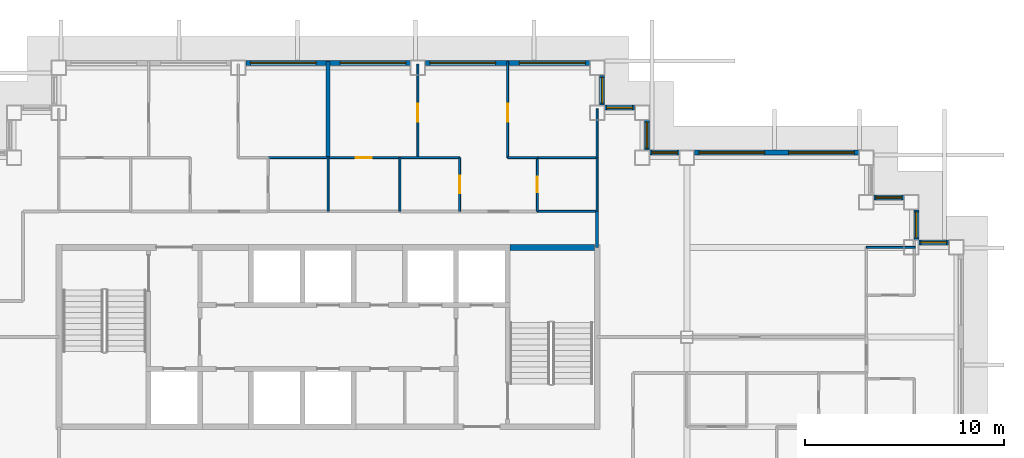
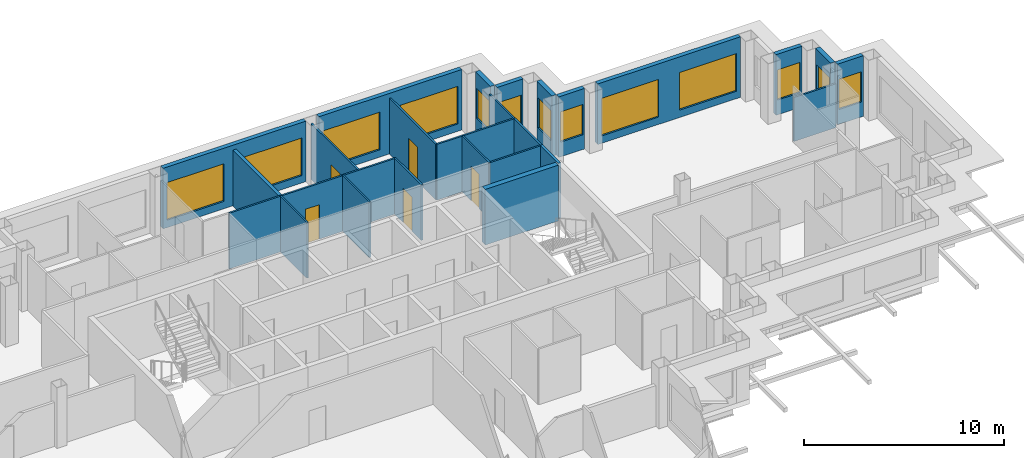
# One storey, part 9 of 15: 27 walls, 13 windows, 5 doors, 18 openings.
"""IFC4 building model written with IfcOpenShell, lengths in metres."""

from ifc_helpers import new_model, si_unit, direction, frame, frame_2d, origin, place, context, subcontext, project, spatial, rectangle, extrude, material, layer, layer_set, type_object, element, fill, save


model = new_model("IFC4")

# Units and contexts
model_context = context("Model", 3, precision=1e-05, world=origin(), true_north=direction((0.0, 1.0)))
body_context = subcontext(model_context, "Body", "Model", "MODEL_VIEW")
ifc_project = project(units=[si_unit("LENGTHUNIT", "METRE"), si_unit("AREAUNIT", "SQUARE_METRE"), si_unit("VOLUMEUNIT", "CUBIC_METRE"), si_unit("PLANEANGLEUNIT", "RADIAN"), si_unit("MASSUNIT", "GRAM", prefix="KILO")], contexts=[model_context])

# Site, building, storey
site_placement = place(None, origin())
site = spatial("IfcSite", under=ifc_project, at=site_placement, CompositionType="ELEMENT")
building_placement = place(site_placement, origin())
building = spatial("IfcBuilding", under=site, at=building_placement, Name="Caravel Reach Hotel and Residences", CompositionType="ELEMENT")
storey_placement = place(building_placement, frame((0.0, 0.0, 172.800048828125)))
storey = spatial("IfcBuildingStorey", under=building, at=storey_placement, Name="L43", CompositionType="ELEMENT", Elevation=172.800048828125)

# Wall
ifc_material_1 = material(Name="Gypsum board on steel stud", Category="steel")
ifc_layer_1 = layer(ifc_material_1, 0.10009765625)
ifc_layer_set_1 = layer_set([ifc_layer_1], Name="Bathroom pod wall 100 mm")
wall_type_1 = type_object("IfcWallType", Name="Bathroom pod wall 100 mm", PredefinedType="PARTITIONING", material=ifc_layer_set_1)
wall_1_placement = place(storey_placement, frame((42.0, 33.300048828125, 0.0), z_axis=(0.0, 0.0, 1.0), x_axis=(1.0, 0.0, 0.0)))
element("IfcWall", 1, at=wall_1_placement, inside=storey, type_object=wall_type_1, Name="L43 wall w100", PredefinedType="PARTITIONING", context=body_context, shape_type="SweptSolid", body=[
    extrude(rectangle(XDim=3.0, YDim=0.10009765625, at=frame_2d((1.5, 0.0))), origin(), (0.0, 0.0, 1.0), 3.39990234375),
])

# Wall, opening, door
wall_2_placement = place(storey_placement, frame((28.5, 36.0, 0.0), z_axis=(0.0, 0.0, 1.0), x_axis=(1.0, 0.0, 0.0)))
wall_2 = element("IfcWall", 2, at=wall_2_placement, inside=storey, type_object=wall_type_1, Name="L43 wall w102", PredefinedType="PARTITIONING", context=body_context, shape_type="SweptSolid", body=[
    extrude(rectangle(XDim=6.60009765625, YDim=0.10009765625, at=frame_2d((3.300048828125, 0.0))), origin(), (0.0, 0.0, 1.0), 3.39990234375),
])
opening_1_placement = place(wall_2_placement, frame((4.39990234375, 0.0, 0.0)))
opening_1 = element("IfcOpeningElement", 3, at=opening_1_placement, cuts=wall_2, Name="Opening D43-024", PredefinedType="OPENING", context=body_context, shape_type="SweptSolid", body=[
    extrude(rectangle(XDim=0.800048828125, YDim=2.10009765625, at=frame_2d((0.39990234375, 1.050048828125))), frame((0.0, 0.06005859375, 0.0), z_axis=(0.0, -1.0, 0.0), x_axis=(1.0, 0.0, 0.0)), (0.0, 0.0, 1.0), 0.1201171875),
])
ifc_material_2 = material(Name="Timber and steel door leaf", Category="steel")
door_type_1 = type_object("IfcDoorType", Name="Bathroom door 800 x 2100", OperationType="SINGLE_SWING_LEFT", PredefinedType="DOOR", material=ifc_material_2)
door_1_placement = place(opening_1_placement, origin())
door_1 = element("IfcDoor", 4, at=door_1_placement, inside=storey, type_object=door_type_1, Name="door D43-024", OperationType="SINGLE_SWING_RIGHT", OverallHeight=2.10009765625, OverallWidth=0.800048828125, PredefinedType="DOOR", context=body_context, shape_type="SweptSolid", body=[
    extrude(rectangle(XDim=0.800048828125, YDim=2.10009765625, at=frame_2d((0.39990234375, 1.050048828125))), frame((0.0, 0.02490234375, 0.0), z_axis=(0.0, -1.0, 0.0), x_axis=(1.0, 0.0, 0.0)), (0.0, 0.0, 1.0), 0.050048828125),
])
fill(opening_1, door_1)

# Walls
wall_3_placement = place(storey_placement, frame((42.0, 36.0, 0.0), z_axis=(0.0, 0.0, 1.0), x_axis=(1.0, 0.0, 0.0)))
element("IfcWall", 5, at=wall_3_placement, inside=storey, type_object=wall_type_1, Name="L43 wall w104", PredefinedType="PARTITIONING", context=body_context, shape_type="SweptSolid", body=[
    extrude(rectangle(XDim=3.0, YDim=0.10009765625, at=frame_2d((1.5, 0.0))), origin(), (0.0, 0.0, 1.0), 3.39990234375),
])
for number, where, z_axis, x_axis, name in (
    (6, (31.5, 33.300048828125, 0.0), (0.0, 0.0, 1.0), (0.0, 1.0, 0.0), "L43 wall w113"),
    (7, (35.10009765625, 33.300048828125, 0.0), (0.0, 0.0, 1.0), (0.0, 1.0, 0.0), "L43 wall w116"),
):
    element("IfcWall", number, at=place(storey_placement, frame(where, z_axis=z_axis, x_axis=x_axis)), inside=storey, type_object=wall_type_1, Name=name, PredefinedType="PARTITIONING", context=body_context, shape_type="SweptSolid", body=[
        extrude(rectangle(XDim=2.699951171875, YDim=0.10009765625, at=frame_2d((1.35009765625, 0.0))), origin(), (0.0, 0.0, 1.0), 3.39990234375),
    ])

# Wall, opening, door
wall_4_placement = place(storey_placement, frame((42.0, 33.300048828125, 0.0), z_axis=(0.0, 0.0, 1.0), x_axis=(0.0, 1.0, 0.0)))
wall_4 = element("IfcWall", 8, at=wall_4_placement, inside=storey, type_object=wall_type_1, Name="L43 wall w120", PredefinedType="PARTITIONING", context=body_context, shape_type="SweptSolid", body=[
    extrude(rectangle(XDim=2.699951171875, YDim=0.10009765625, at=frame_2d((1.35009765625, 0.0))), origin(), (0.0, 0.0, 1.0), 3.39990234375),
])
opening_2_placement = place(wall_4_placement, frame((0.949951171875, 0.0, 0.0)))
opening_2 = element("IfcOpeningElement", 9, at=opening_2_placement, cuts=wall_4, Name="Opening D43-026", PredefinedType="OPENING", context=body_context, shape_type="SweptSolid", body=[
    extrude(rectangle(XDim=0.800048828125, YDim=2.10009765625, at=frame_2d((0.39990234375, 1.050048828125))), frame((0.0, 0.06005859375, 0.0), z_axis=(0.0, -1.0, 0.0), x_axis=(1.0, 0.0, 0.0)), (0.0, 0.0, 1.0), 0.1201171875),
])
door_2_placement = place(opening_2_placement, origin())
door_2 = element("IfcDoor", 10, at=door_2_placement, inside=storey, type_object=door_type_1, Name="door D43-026", OperationType="SINGLE_SWING_LEFT", OverallHeight=2.10009765625, OverallWidth=0.800048828125, PredefinedType="DOOR", context=body_context, shape_type="SweptSolid", body=[
    extrude(rectangle(XDim=0.800048828125, YDim=2.10009765625, at=frame_2d((0.39990234375, 1.050048828125))), frame((0.0, 0.02490234375, 0.0), z_axis=(0.0, -1.0, 0.0), x_axis=(1.0, 0.0, 0.0)), (0.0, 0.0, 1.0), 0.050048828125),
])
fill(opening_2, door_2)

# Walls
wall_5_placement = place(storey_placement, frame((45.0, 33.300048828125, 0.0), z_axis=(0.0, 0.0, 1.0), x_axis=(0.0, 1.0, 0.0)))
element("IfcWall", 11, at=wall_5_placement, inside=storey, type_object=wall_type_1, Name="L43 wall w121", PredefinedType="PARTITIONING", context=body_context, shape_type="SweptSolid", body=[
    extrude(rectangle(XDim=2.699951171875, YDim=0.10009765625, at=frame_2d((1.35009765625, 0.0))), origin(), (0.0, 0.0, 1.0), 3.39990234375),
])
ifc_material_3 = material(Name="Concrete C60", Category="concrete")
ifc_layer_2 = layer(ifc_material_3, 0.300048828125)
ifc_layer_set_2 = layer_set([ifc_layer_2], Name="Core wall 300 mm EI 120")
wall_type_2 = type_object("IfcWallType", Name="Core wall 300 mm EI 120", PredefinedType="SHEAR", material=ifc_layer_set_2)
wall_6_placement = place(storey_placement, frame((40.625, 31.5, 0.0), z_axis=(0.0, 0.0, 1.0), x_axis=(1.0, 0.0, 0.0)))
element("IfcWall", 12, at=wall_6_placement, inside=storey, type_object=wall_type_2, Name="L43 core wall N3", PredefinedType="SHEAR", context=body_context, shape_type="SweptSolid", body=[
    extrude(rectangle(XDim=4.22509765625, YDim=0.300048828125, at=frame_2d((2.112548828125, 0.0))), origin(), (0.0, 0.0, 1.0), 3.39990234375),
])
ifc_material_4 = material(Name="Gypsum board on steel stud, fire-rated", Category="steel")
ifc_layer_3 = layer(ifc_material_4, 0.14990234375)
ifc_layer_set_3 = layer_set([ifc_layer_3], Name="Corridor wall 150 mm EI 60")
wall_type_3 = type_object("IfcWallType", Name="Corridor wall 150 mm EI 60", PredefinedType="PARTITIONING", material=ifc_layer_set_3)
wall_7_placement = place(storey_placement, frame((45.0, 31.5, 0.0), z_axis=(0.0, 0.0, 1.0), x_axis=(0.0, 1.0, 0.0)))
element("IfcWall", 13, at=wall_7_placement, inside=storey, type_object=wall_type_3, Name="L43 wall w028", PredefinedType="PARTITIONING", context=body_context, shape_type="SweptSolid", body=[
    extrude(rectangle(XDim=1.800048828125, YDim=0.14990234375, at=frame_2d((0.89990234375, 0.0))), origin(), (0.0, 0.0, 1.0), 3.39990234375),
])

# Wall, opening, window
ifc_material_5 = material(Name="Insulated rainscreen wall, aluminium cladding", Category="aluminium")
ifc_layer_4 = layer(ifc_material_5, 0.25)
ifc_layer_set_4 = layer_set([ifc_layer_4], Name="EW1 Tower rainscreen wall")
wall_type_4 = type_object("IfcWallType", Name="EW1 Tower rainscreen wall", PredefinedType="SOLIDWALL", material=ifc_layer_set_4)
wall_8_placement = place(storey_placement, frame((62.625, 31.75, 0.0), z_axis=(0.0, 0.0, 1.0), x_axis=(-1.0, 0.0, 0.0)))
wall_8 = element("IfcWall", 14, at=wall_8_placement, inside=storey, type_object=wall_type_4, Name="External wall L43 N21.1", PredefinedType="SOLIDWALL", context=body_context, shape_type="SweptSolid", body=[
    extrude(rectangle(XDim=1.5, YDim=0.25, at=frame_2d((0.75, 0.0))), origin(), (0.0, 0.0, 1.0), 3.699951171875),
])
opening_3_placement = place(wall_8_placement, frame((0.10009765625, 0.0, 0.89990234375)))
opening_3 = element("IfcOpeningElement", 15, at=opening_3_placement, cuts=wall_8, Name="Opening WN16", PredefinedType="OPENING", context=body_context, shape_type="SweptSolid", body=[
    extrude(rectangle(XDim=1.300048828125, YDim=1.85009765625, at=frame_2d((0.64990234375, 0.925048828125))), frame((0.0, 0.135009765625, 0.0), z_axis=(0.0, -1.0, 0.0), x_axis=(1.0, 0.0, 0.0)), (0.0, 0.0, 1.0), 0.27001953125),
])
ifc_material_6 = material(Name="Dark low-e glazing in black aluminium frame", Category="aluminium")
window_type_1 = type_object("IfcWindowType", Name="Residence bedroom window 1300 x 1850", PartitioningType="SINGLE_PANEL", PredefinedType="WINDOW", material=ifc_material_6)
window_1_placement = place(opening_3_placement, origin())
window_1 = element("IfcWindow", 16, at=window_1_placement, inside=storey, type_object=window_type_1, Name="Window L43 N21.1.1", OverallHeight=1.85009765625, OverallWidth=1.300048828125, PartitioningType="SINGLE_PANEL", PredefinedType="WINDOW", context=body_context, shape_type="SweptSolid", body=[
    extrude(rectangle(XDim=1.300048828125, YDim=1.85009765625, at=frame_2d((0.64990234375, 0.925048828125))), frame((0.0, 0.030029296875, 0.0), z_axis=(0.0, -1.0, 0.0), x_axis=(1.0, 0.0, 0.0)), (0.0, 0.0, 1.0), 0.06005859375),
])
fill(opening_3, window_1)

wall_9_placement = place(storey_placement, frame((61.0, 31.875, 0.0), z_axis=(0.0, 0.0, 1.0), x_axis=(0.0, 1.0, 0.0)))
wall_9 = element("IfcWall", 17, at=wall_9_placement, inside=storey, type_object=wall_type_4, Name="External wall L43 E22.1", PredefinedType="SOLIDWALL", context=body_context, shape_type="SweptSolid", body=[
    extrude(rectangle(XDim=1.5, YDim=0.25, at=frame_2d((0.75, 0.0))), origin(), (0.0, 0.0, 1.0), 3.699951171875),
])
opening_4_placement = place(wall_9_placement, frame((0.10009765625, 0.0, 0.89990234375)))
opening_4 = element("IfcOpeningElement", 18, at=opening_4_placement, cuts=wall_9, Name="Opening WN16", PredefinedType="OPENING", context=body_context, shape_type="SweptSolid", body=[
    extrude(rectangle(XDim=1.300048828125, YDim=1.85009765625, at=frame_2d((0.64990234375, 0.925048828125))), frame((0.0, 0.135009765625, 0.0), z_axis=(0.0, -1.0, 0.0), x_axis=(1.0, 0.0, 0.0)), (0.0, 0.0, 1.0), 0.27001953125),
])
window_2_placement = place(opening_4_placement, origin())
window_2 = element("IfcWindow", 19, at=window_2_placement, inside=storey, type_object=window_type_1, Name="Window L43 E22.1.1", OverallHeight=1.85009765625, OverallWidth=1.300048828125, PartitioningType="SINGLE_PANEL", PredefinedType="WINDOW", context=body_context, shape_type="SweptSolid", body=[
    extrude(rectangle(XDim=1.300048828125, YDim=1.85009765625, at=frame_2d((0.64990234375, 0.925048828125))), frame((0.0, 0.030029296875, 0.0), z_axis=(0.0, -1.0, 0.0), x_axis=(1.0, 0.0, 0.0)), (0.0, 0.0, 1.0), 0.06005859375),
])
fill(opening_4, window_2)

wall_10_placement = place(storey_placement, frame((60.375, 34.0, 0.0), z_axis=(0.0, 0.0, 1.0), x_axis=(-1.0, 0.0, 0.0)))
wall_10 = element("IfcWall", 20, at=wall_10_placement, inside=storey, type_object=wall_type_4, Name="External wall L43 N23.1", PredefinedType="SOLIDWALL", context=body_context, shape_type="SweptSolid", body=[
    extrude(rectangle(XDim=1.5, YDim=0.25, at=frame_2d((0.75, 0.0))), origin(), (0.0, 0.0, 1.0), 3.699951171875),
])
opening_5_placement = place(wall_10_placement, frame((0.10009765625, 0.0, 0.89990234375)))
opening_5 = element("IfcOpeningElement", 21, at=opening_5_placement, cuts=wall_10, Name="Opening WN16", PredefinedType="OPENING", context=body_context, shape_type="SweptSolid", body=[
    extrude(rectangle(XDim=1.300048828125, YDim=1.85009765625, at=frame_2d((0.64990234375, 0.925048828125))), frame((0.0, 0.135009765625, 0.0), z_axis=(0.0, -1.0, 0.0), x_axis=(1.0, 0.0, 0.0)), (0.0, 0.0, 1.0), 0.27001953125),
])
window_3_placement = place(opening_5_placement, origin())
window_3 = element("IfcWindow", 22, at=window_3_placement, inside=storey, type_object=window_type_1, Name="Window L43 N23.1.1", OverallHeight=1.85009765625, OverallWidth=1.300048828125, PartitioningType="SINGLE_PANEL", PredefinedType="WINDOW", context=body_context, shape_type="SweptSolid", body=[
    extrude(rectangle(XDim=1.300048828125, YDim=1.85009765625, at=frame_2d((0.64990234375, 0.925048828125))), frame((0.0, 0.030029296875, 0.0), z_axis=(0.0, -1.0, 0.0), x_axis=(1.0, 0.0, 0.0)), (0.0, 0.0, 1.0), 0.06005859375),
])
fill(opening_5, window_3)

# Wall, openings, windows
wall_11_placement = place(storey_placement, frame((58.125, 36.25, 0.0), z_axis=(0.0, 0.0, 1.0), x_axis=(-1.0, 0.0, 0.0)))
wall_11 = element("IfcWall", 23, at=wall_11_placement, inside=storey, type_object=wall_type_4, Name="External wall L43 N25.1", PredefinedType="SOLIDWALL", context=body_context, shape_type="SweptSolid", body=[
    extrude(rectangle(XDim=8.25, YDim=0.25, at=frame_2d((4.125, 0.0))), origin(), (0.0, 0.0, 1.0), 3.699951171875),
])
opening_6_placement = place(wall_11_placement, frame((0.22509765625, 0.0, 0.449951171875)))
opening_6 = element("IfcOpeningElement", 24, at=opening_6_placement, cuts=wall_11, Name="Opening WN15", PredefinedType="OPENING", context=body_context, shape_type="SweptSolid", body=[
    extrude(rectangle(XDim=3.300048828125, YDim=2.300048828125, at=frame_2d((1.64990234375, 1.14990234375))), frame((0.0, 0.135009765625, 0.0), z_axis=(0.0, -1.0, 0.0), x_axis=(1.0, 0.0, 0.0)), (0.0, 0.0, 1.0), 0.27001953125),
])
opening_7_placement = place(wall_11_placement, frame((4.72509765625, 0.0, 0.449951171875)))
opening_7 = element("IfcOpeningElement", 25, at=opening_7_placement, cuts=wall_11, Name="Opening WN15", PredefinedType="OPENING", context=body_context, shape_type="SweptSolid", body=[
    extrude(rectangle(XDim=3.300048828125, YDim=2.300048828125, at=frame_2d((1.64990234375, 1.14990234375))), frame((0.0, 0.135009765625, 0.0), z_axis=(0.0, -1.0, 0.0), x_axis=(1.0, 0.0, 0.0)), (0.0, 0.0, 1.0), 0.27001953125),
])
ifc_material_7 = material(Name="Dark low-e glazing in black aluminium frame", Category="aluminium")
window_type_2 = type_object("IfcWindowType", Name="Residence living window 3300 x 2300", PartitioningType="SINGLE_PANEL", PredefinedType="WINDOW", material=ifc_material_7)
window_4_placement = place(opening_6_placement, origin())
window_4 = element("IfcWindow", 26, at=window_4_placement, inside=storey, type_object=window_type_2, Name="Window L43 N25.1.1", OverallHeight=2.300048828125, OverallWidth=3.300048828125, PartitioningType="SINGLE_PANEL", PredefinedType="WINDOW", context=body_context, shape_type="SweptSolid", body=[
    extrude(rectangle(XDim=3.300048828125, YDim=2.300048828125, at=frame_2d((1.64990234375, 1.14990234375))), frame((0.0, 0.030029296875, 0.0), z_axis=(0.0, -1.0, 0.0), x_axis=(1.0, 0.0, 0.0)), (0.0, 0.0, 1.0), 0.06005859375),
])
fill(opening_6, window_4)
window_5_placement = place(opening_7_placement, origin())
window_5 = element("IfcWindow", 27, at=window_5_placement, inside=storey, type_object=window_type_2, Name="Window L43 N25.1.2", OverallHeight=2.300048828125, OverallWidth=3.300048828125, PartitioningType="SINGLE_PANEL", PredefinedType="WINDOW", context=body_context, shape_type="SweptSolid", body=[
    extrude(rectangle(XDim=3.300048828125, YDim=2.300048828125, at=frame_2d((1.64990234375, 1.14990234375))), frame((0.0, 0.030029296875, 0.0), z_axis=(0.0, -1.0, 0.0), x_axis=(1.0, 0.0, 0.0)), (0.0, 0.0, 1.0), 0.06005859375),
])
fill(opening_7, window_5)

# Wall, opening, window
wall_12_placement = place(storey_placement, frame((49.125, 36.25, 0.0), z_axis=(0.0, 0.0, 1.0), x_axis=(-1.0, 0.0, 0.0)))
wall_12 = element("IfcWall", 28, at=wall_12_placement, inside=storey, type_object=wall_type_4, Name="External wall L43 N25.2", PredefinedType="SOLIDWALL", context=body_context, shape_type="SweptSolid", body=[
    extrude(rectangle(XDim=1.5, YDim=0.25, at=frame_2d((0.75, 0.0))), origin(), (0.0, 0.0, 1.0), 3.699951171875),
])
opening_8_placement = place(wall_12_placement, frame((0.10009765625, 0.0, 0.89990234375)))
opening_8 = element("IfcOpeningElement", 29, at=opening_8_placement, cuts=wall_12, Name="Opening WN16", PredefinedType="OPENING", context=body_context, shape_type="SweptSolid", body=[
    extrude(rectangle(XDim=1.300048828125, YDim=1.85009765625, at=frame_2d((0.64990234375, 0.925048828125))), frame((0.0, 0.135009765625, 0.0), z_axis=(0.0, -1.0, 0.0), x_axis=(1.0, 0.0, 0.0)), (0.0, 0.0, 1.0), 0.27001953125),
])
window_6_placement = place(opening_8_placement, origin())
window_6 = element("IfcWindow", 30, at=window_6_placement, inside=storey, type_object=window_type_1, Name="Window L43 N25.2.1", OverallHeight=1.85009765625, OverallWidth=1.300048828125, PartitioningType="SINGLE_PANEL", PredefinedType="WINDOW", context=body_context, shape_type="SweptSolid", body=[
    extrude(rectangle(XDim=1.300048828125, YDim=1.85009765625, at=frame_2d((0.64990234375, 0.925048828125))), frame((0.0, 0.030029296875, 0.0), z_axis=(0.0, -1.0, 0.0), x_axis=(1.0, 0.0, 0.0)), (0.0, 0.0, 1.0), 0.06005859375),
])
fill(opening_8, window_6)

wall_13_placement = place(storey_placement, frame((47.5, 36.375, 0.0), z_axis=(0.0, 0.0, 1.0), x_axis=(0.0, 1.0, 0.0)))
wall_13 = element("IfcWall", 31, at=wall_13_placement, inside=storey, type_object=wall_type_4, Name="External wall L43 E26.1", PredefinedType="SOLIDWALL", context=body_context, shape_type="SweptSolid", body=[
    extrude(rectangle(XDim=1.5, YDim=0.25, at=frame_2d((0.75, 0.0))), origin(), (0.0, 0.0, 1.0), 3.699951171875),
])
opening_9_placement = place(wall_13_placement, frame((0.10009765625, 0.0, 0.89990234375)))
opening_9 = element("IfcOpeningElement", 32, at=opening_9_placement, cuts=wall_13, Name="Opening WN16", PredefinedType="OPENING", context=body_context, shape_type="SweptSolid", body=[
    extrude(rectangle(XDim=1.300048828125, YDim=1.85009765625, at=frame_2d((0.64990234375, 0.925048828125))), frame((0.0, 0.135009765625, 0.0), z_axis=(0.0, -1.0, 0.0), x_axis=(1.0, 0.0, 0.0)), (0.0, 0.0, 1.0), 0.27001953125),
])
window_7_placement = place(opening_9_placement, origin())
window_7 = element("IfcWindow", 33, at=window_7_placement, inside=storey, type_object=window_type_1, Name="Window L43 E26.1.1", OverallHeight=1.85009765625, OverallWidth=1.300048828125, PartitioningType="SINGLE_PANEL", PredefinedType="WINDOW", context=body_context, shape_type="SweptSolid", body=[
    extrude(rectangle(XDim=1.300048828125, YDim=1.85009765625, at=frame_2d((0.64990234375, 0.925048828125))), frame((0.0, 0.030029296875, 0.0), z_axis=(0.0, -1.0, 0.0), x_axis=(1.0, 0.0, 0.0)), (0.0, 0.0, 1.0), 0.06005859375),
])
fill(opening_9, window_7)

wall_14_placement = place(storey_placement, frame((46.875, 38.5, 0.0), z_axis=(0.0, 0.0, 1.0), x_axis=(-1.0, 0.0, 0.0)))
wall_14 = element("IfcWall", 34, at=wall_14_placement, inside=storey, type_object=wall_type_4, Name="External wall L43 N27.1", PredefinedType="SOLIDWALL", context=body_context, shape_type="SweptSolid", body=[
    extrude(rectangle(XDim=1.5, YDim=0.25, at=frame_2d((0.75, 0.0))), origin(), (0.0, 0.0, 1.0), 3.699951171875),
])
opening_10_placement = place(wall_14_placement, frame((0.10009765625, 0.0, 0.89990234375)))
opening_10 = element("IfcOpeningElement", 35, at=opening_10_placement, cuts=wall_14, Name="Opening WN16", PredefinedType="OPENING", context=body_context, shape_type="SweptSolid", body=[
    extrude(rectangle(XDim=1.300048828125, YDim=1.85009765625, at=frame_2d((0.64990234375, 0.925048828125))), frame((0.0, 0.135009765625, 0.0), z_axis=(0.0, -1.0, 0.0), x_axis=(1.0, 0.0, 0.0)), (0.0, 0.0, 1.0), 0.27001953125),
])
window_8_placement = place(opening_10_placement, origin())
window_8 = element("IfcWindow", 36, at=window_8_placement, inside=storey, type_object=window_type_1, Name="Window L43 N27.1.1", OverallHeight=1.85009765625, OverallWidth=1.300048828125, PartitioningType="SINGLE_PANEL", PredefinedType="WINDOW", context=body_context, shape_type="SweptSolid", body=[
    extrude(rectangle(XDim=1.300048828125, YDim=1.85009765625, at=frame_2d((0.64990234375, 0.925048828125))), frame((0.0, 0.030029296875, 0.0), z_axis=(0.0, -1.0, 0.0), x_axis=(1.0, 0.0, 0.0)), (0.0, 0.0, 1.0), 0.06005859375),
])
fill(opening_10, window_8)

wall_15_placement = place(storey_placement, frame((45.25, 38.625, 0.0), z_axis=(0.0, 0.0, 1.0), x_axis=(0.0, 1.0, 0.0)))
wall_15 = element("IfcWall", 37, at=wall_15_placement, inside=storey, type_object=wall_type_4, Name="External wall L43 E28.1", PredefinedType="SOLIDWALL", context=body_context, shape_type="SweptSolid", body=[
    extrude(rectangle(XDim=1.5, YDim=0.25, at=frame_2d((0.75, 0.0))), origin(), (0.0, 0.0, 1.0), 3.699951171875),
])
opening_11_placement = place(wall_15_placement, frame((0.10009765625, 0.0, 0.89990234375)))
opening_11 = element("IfcOpeningElement", 38, at=opening_11_placement, cuts=wall_15, Name="Opening WN16", PredefinedType="OPENING", context=body_context, shape_type="SweptSolid", body=[
    extrude(rectangle(XDim=1.300048828125, YDim=1.85009765625, at=frame_2d((0.64990234375, 0.925048828125))), frame((0.0, 0.135009765625, 0.0), z_axis=(0.0, -1.0, 0.0), x_axis=(1.0, 0.0, 0.0)), (0.0, 0.0, 1.0), 0.27001953125),
])
window_9_placement = place(opening_11_placement, origin())
window_9 = element("IfcWindow", 39, at=window_9_placement, inside=storey, type_object=window_type_1, Name="Window L43 E28.1.1", OverallHeight=1.85009765625, OverallWidth=1.300048828125, PartitioningType="SINGLE_PANEL", PredefinedType="WINDOW", context=body_context, shape_type="SweptSolid", body=[
    extrude(rectangle(XDim=1.300048828125, YDim=1.85009765625, at=frame_2d((0.64990234375, 0.925048828125))), frame((0.0, 0.030029296875, 0.0), z_axis=(0.0, -1.0, 0.0), x_axis=(1.0, 0.0, 0.0)), (0.0, 0.0, 1.0), 0.06005859375),
])
fill(opening_11, window_9)

# Wall, openings, windows
wall_16_placement = place(storey_placement, frame((44.625, 40.75, 0.0), z_axis=(0.0, 0.0, 1.0), x_axis=(-1.0, 0.0, 0.0)))
wall_16 = element("IfcWall", 40, at=wall_16_placement, inside=storey, type_object=wall_type_4, Name="External wall L43 N29.1", PredefinedType="SOLIDWALL", context=body_context, shape_type="SweptSolid", body=[
    extrude(rectangle(XDim=8.25, YDim=0.25, at=frame_2d((4.125, 0.0))), origin(), (0.0, 0.0, 1.0), 3.699951171875),
])
opening_12_placement = place(wall_16_placement, frame((0.22509765625, 0.0, 0.449951171875)))
opening_12 = element("IfcOpeningElement", 41, at=opening_12_placement, cuts=wall_16, Name="Opening WN15", PredefinedType="OPENING", context=body_context, shape_type="SweptSolid", body=[
    extrude(rectangle(XDim=3.300048828125, YDim=2.300048828125, at=frame_2d((1.64990234375, 1.14990234375))), frame((0.0, 0.135009765625, 0.0), z_axis=(0.0, -1.0, 0.0), x_axis=(1.0, 0.0, 0.0)), (0.0, 0.0, 1.0), 0.27001953125),
])
opening_13_placement = place(wall_16_placement, frame((4.72509765625, 0.0, 0.449951171875)))
opening_13 = element("IfcOpeningElement", 42, at=opening_13_placement, cuts=wall_16, Name="Opening WN15", PredefinedType="OPENING", context=body_context, shape_type="SweptSolid", body=[
    extrude(rectangle(XDim=3.300048828125, YDim=2.300048828125, at=frame_2d((1.64990234375, 1.14990234375))), frame((0.0, 0.135009765625, 0.0), z_axis=(0.0, -1.0, 0.0), x_axis=(1.0, 0.0, 0.0)), (0.0, 0.0, 1.0), 0.27001953125),
])
window_10_placement = place(opening_12_placement, origin())
window_10 = element("IfcWindow", 43, at=window_10_placement, inside=storey, type_object=window_type_2, Name="Window L43 N29.1.1", OverallHeight=2.300048828125, OverallWidth=3.300048828125, PartitioningType="SINGLE_PANEL", PredefinedType="WINDOW", context=body_context, shape_type="SweptSolid", body=[
    extrude(rectangle(XDim=3.300048828125, YDim=2.300048828125, at=frame_2d((1.64990234375, 1.14990234375))), frame((0.0, 0.030029296875, 0.0), z_axis=(0.0, -1.0, 0.0), x_axis=(1.0, 0.0, 0.0)), (0.0, 0.0, 1.0), 0.06005859375),
])
fill(opening_12, window_10)
window_11_placement = place(opening_13_placement, origin())
window_11 = element("IfcWindow", 44, at=window_11_placement, inside=storey, type_object=window_type_2, Name="Window L43 N29.1.2", OverallHeight=2.300048828125, OverallWidth=3.300048828125, PartitioningType="SINGLE_PANEL", PredefinedType="WINDOW", context=body_context, shape_type="SweptSolid", body=[
    extrude(rectangle(XDim=3.300048828125, YDim=2.300048828125, at=frame_2d((1.64990234375, 1.14990234375))), frame((0.0, 0.030029296875, 0.0), z_axis=(0.0, -1.0, 0.0), x_axis=(1.0, 0.0, 0.0)), (0.0, 0.0, 1.0), 0.06005859375),
])
fill(opening_13, window_11)

wall_17_placement = place(storey_placement, frame((35.625, 40.75, 0.0), z_axis=(0.0, 0.0, 1.0), x_axis=(-1.0, 0.0, 0.0)))
wall_17 = element("IfcWall", 45, at=wall_17_placement, inside=storey, type_object=wall_type_4, Name="External wall L43 N29.2", PredefinedType="SOLIDWALL", context=body_context, shape_type="SweptSolid", body=[
    extrude(rectangle(XDim=8.25, YDim=0.25, at=frame_2d((4.125, 0.0))), origin(), (0.0, 0.0, 1.0), 3.699951171875),
])
opening_14_placement = place(wall_17_placement, frame((0.22509765625, 0.0, 0.449951171875)))
opening_14 = element("IfcOpeningElement", 46, at=opening_14_placement, cuts=wall_17, Name="Opening WN15", PredefinedType="OPENING", context=body_context, shape_type="SweptSolid", body=[
    extrude(rectangle(XDim=3.300048828125, YDim=2.300048828125, at=frame_2d((1.64990234375, 1.14990234375))), frame((0.0, 0.135009765625, 0.0), z_axis=(0.0, -1.0, 0.0), x_axis=(1.0, 0.0, 0.0)), (0.0, 0.0, 1.0), 0.27001953125),
])
opening_15_placement = place(wall_17_placement, frame((4.72509765625, 0.0, 0.449951171875)))
opening_15 = element("IfcOpeningElement", 47, at=opening_15_placement, cuts=wall_17, Name="Opening WN15", PredefinedType="OPENING", context=body_context, shape_type="SweptSolid", body=[
    extrude(rectangle(XDim=3.300048828125, YDim=2.300048828125, at=frame_2d((1.64990234375, 1.14990234375))), frame((0.0, 0.135009765625, 0.0), z_axis=(0.0, -1.0, 0.0), x_axis=(1.0, 0.0, 0.0)), (0.0, 0.0, 1.0), 0.27001953125),
])
window_12_placement = place(opening_14_placement, origin())
window_12 = element("IfcWindow", 48, at=window_12_placement, inside=storey, type_object=window_type_2, Name="Window L43 N29.2.1", OverallHeight=2.300048828125, OverallWidth=3.300048828125, PartitioningType="SINGLE_PANEL", PredefinedType="WINDOW", context=body_context, shape_type="SweptSolid", body=[
    extrude(rectangle(XDim=3.300048828125, YDim=2.300048828125, at=frame_2d((1.64990234375, 1.14990234375))), frame((0.0, 0.030029296875, 0.0), z_axis=(0.0, -1.0, 0.0), x_axis=(1.0, 0.0, 0.0)), (0.0, 0.0, 1.0), 0.06005859375),
])
fill(opening_14, window_12)
window_13_placement = place(opening_15_placement, origin())
window_13 = element("IfcWindow", 49, at=window_13_placement, inside=storey, type_object=window_type_2, Name="Window L43 N29.2.2", OverallHeight=2.300048828125, OverallWidth=3.300048828125, PartitioningType="SINGLE_PANEL", PredefinedType="WINDOW", context=body_context, shape_type="SweptSolid", body=[
    extrude(rectangle(XDim=3.300048828125, YDim=2.300048828125, at=frame_2d((1.64990234375, 1.14990234375))), frame((0.0, 0.030029296875, 0.0), z_axis=(0.0, -1.0, 0.0), x_axis=(1.0, 0.0, 0.0)), (0.0, 0.0, 1.0), 0.06005859375),
])
fill(opening_15, window_13)

# Walls
ifc_material_8 = material(Name="Gypsum board on steel stud", Category="steel")
ifc_layer_5 = layer(ifc_material_8, 0.10009765625)
ifc_layer_set_5 = layer_set([ifc_layer_5], Name="Partition 100 mm")
wall_type_5 = type_object("IfcWallType", Name="Partition 100 mm", PredefinedType="PARTITIONING", material=ifc_layer_set_5)
wall_18_placement = place(storey_placement, frame((58.5009765625, 31.5, 0.0), z_axis=(0.0, 0.0, 1.0), x_axis=(1.0, 0.0, 0.0)))
element("IfcWall", 50, at=wall_18_placement, inside=storey, type_object=wall_type_5, Name="L43 wall w040", PredefinedType="PARTITIONING", context=body_context, shape_type="SweptSolid", body=[
    extrude(rectangle(XDim=2.43896484375, YDim=0.10009765625, at=frame_2d((1.219482421875, 0.0))), origin(), (0.0, 0.0, 1.0), 2.679931640625),
])
wall_19_placement = place(storey_placement, frame((40.5, 36.0, 0.0), z_axis=(0.0, 0.0, 1.0), x_axis=(1.0, 0.0, 0.0)))
element("IfcWall", 51, at=wall_19_placement, inside=storey, type_object=wall_type_5, Name="L43 wall w045", PredefinedType="PARTITIONING", context=body_context, shape_type="SweptSolid", body=[
    extrude(rectangle(XDim=1.5, YDim=0.10009765625, at=frame_2d((0.75, 0.0))), origin(), (0.0, 0.0, 1.0), 3.39990234375),
])
wall_20_placement = place(storey_placement, frame((35.10009765625, 36.0, 0.0), z_axis=(0.0, 0.0, 1.0), x_axis=(1.0, 0.0, 0.0)))
element("IfcWall", 52, at=wall_20_placement, inside=storey, type_object=wall_type_5, Name="L43 wall w046", PredefinedType="PARTITIONING", context=body_context, shape_type="SweptSolid", body=[
    extrude(rectangle(XDim=3.0, YDim=0.10009765625, at=frame_2d((1.5, 0.0))), origin(), (0.0, 0.0, 1.0), 3.39990234375),
])

# Wall, opening, door
wall_21_placement = place(storey_placement, frame((36.0, 36.0, 0.0), z_axis=(0.0, 0.0, 1.0), x_axis=(0.0, 1.0, 0.0)))
wall_21 = element("IfcWall", 53, at=wall_21_placement, inside=storey, type_object=wall_type_5, Name="L43 wall w062", PredefinedType="PARTITIONING", context=body_context, shape_type="SweptSolid", body=[
    extrude(rectangle(XDim=4.68994140625, YDim=0.10009765625, at=frame_2d((2.344970703125, 0.0))), origin(), (0.0, 0.0, 1.0), 3.39990234375),
])
opening_16_placement = place(wall_21_placement, frame((1.800048828125, 0.0, 0.0)))
opening_16 = element("IfcOpeningElement", 54, at=opening_16_placement, cuts=wall_21, Name="Opening D43-027", PredefinedType="OPENING", context=body_context, shape_type="SweptSolid", body=[
    extrude(rectangle(XDim=0.89990234375, YDim=2.10009765625, at=frame_2d((0.449951171875, 1.050048828125))), frame((0.0, 0.06005859375, 0.0), z_axis=(0.0, -1.0, 0.0), x_axis=(1.0, 0.0, 0.0)), (0.0, 0.0, 1.0), 0.1201171875),
])
ifc_material_9 = material(Name="Timber and steel door leaf", Category="steel")
door_type_2 = type_object("IfcDoorType", Name="Door 900 x 2100 timber", OperationType="SINGLE_SWING_LEFT", PredefinedType="DOOR", material=ifc_material_9)
door_3_placement = place(opening_16_placement, origin())
door_3 = element("IfcDoor", 55, at=door_3_placement, inside=storey, type_object=door_type_2, Name="door D43-027", OperationType="SINGLE_SWING_LEFT", OverallHeight=2.10009765625, OverallWidth=0.89990234375, PredefinedType="DOOR", context=body_context, shape_type="SweptSolid", body=[
    extrude(rectangle(XDim=0.89990234375, YDim=2.10009765625, at=frame_2d((0.449951171875, 1.050048828125))), frame((0.0, 0.02490234375, 0.0), z_axis=(0.0, -1.0, 0.0), x_axis=(1.0, 0.0, 0.0)), (0.0, 0.0, 1.0), 0.050048828125),
])
fill(opening_16, door_3)

wall_22_placement = place(storey_placement, frame((38.10009765625, 33.300048828125, 0.0), z_axis=(0.0, 0.0, 1.0), x_axis=(0.0, 1.0, 0.0)))
wall_22 = element("IfcWall", 56, at=wall_22_placement, inside=storey, type_object=wall_type_5, Name="L43 wall w066", PredefinedType="PARTITIONING", context=body_context, shape_type="SweptSolid", body=[
    extrude(rectangle(XDim=2.699951171875, YDim=0.10009765625, at=frame_2d((1.35009765625, 0.0))), origin(), (0.0, 0.0, 1.0), 3.39990234375),
])
opening_17_placement = place(wall_22_placement, frame((0.89990234375, 0.0, 0.0)))
opening_17 = element("IfcOpeningElement", 57, at=opening_17_placement, cuts=wall_22, Name="Opening D43-025", PredefinedType="OPENING", context=body_context, shape_type="SweptSolid", body=[
    extrude(rectangle(XDim=0.89990234375, YDim=2.10009765625, at=frame_2d((0.449951171875, 1.050048828125))), frame((0.0, 0.06005859375, 0.0), z_axis=(0.0, -1.0, 0.0), x_axis=(1.0, 0.0, 0.0)), (0.0, 0.0, 1.0), 0.1201171875),
])
door_4_placement = place(opening_17_placement, origin())
door_4 = element("IfcDoor", 58, at=door_4_placement, inside=storey, type_object=door_type_2, Name="door D43-025", OperationType="SINGLE_SWING_RIGHT", OverallHeight=2.10009765625, OverallWidth=0.89990234375, PredefinedType="DOOR", context=body_context, shape_type="SweptSolid", body=[
    extrude(rectangle(XDim=0.89990234375, YDim=2.10009765625, at=frame_2d((0.449951171875, 1.050048828125))), frame((0.0, 0.02490234375, 0.0), z_axis=(0.0, -1.0, 0.0), x_axis=(1.0, 0.0, 0.0)), (0.0, 0.0, 1.0), 0.050048828125),
])
fill(opening_17, door_4)

wall_23_placement = place(storey_placement, frame((40.5, 36.0, 0.0), z_axis=(0.0, 0.0, 1.0), x_axis=(0.0, 1.0, 0.0)))
wall_23 = element("IfcWall", 59, at=wall_23_placement, inside=storey, type_object=wall_type_5, Name="L43 wall w070", PredefinedType="PARTITIONING", context=body_context, shape_type="SweptSolid", body=[
    extrude(rectangle(XDim=4.81494140625, YDim=0.10009765625, at=frame_2d((2.407470703125, 0.0))), origin(), (0.0, 0.0, 1.0), 3.39990234375),
])
opening_18_placement = place(wall_23_placement, frame((1.800048828125, 0.0, 0.0)))
opening_18 = element("IfcOpeningElement", 60, at=opening_18_placement, cuts=wall_23, Name="Opening D43-028", PredefinedType="OPENING", context=body_context, shape_type="SweptSolid", body=[
    extrude(rectangle(XDim=0.89990234375, YDim=2.10009765625, at=frame_2d((0.449951171875, 1.050048828125))), frame((0.0, 0.06005859375, 0.0), z_axis=(0.0, -1.0, 0.0), x_axis=(1.0, 0.0, 0.0)), (0.0, 0.0, 1.0), 0.1201171875),
])
door_5_placement = place(opening_18_placement, origin())
door_5 = element("IfcDoor", 61, at=door_5_placement, inside=storey, type_object=door_type_2, Name="door D43-028", OperationType="SINGLE_SWING_LEFT", OverallHeight=2.10009765625, OverallWidth=0.89990234375, PredefinedType="DOOR", context=body_context, shape_type="SweptSolid", body=[
    extrude(rectangle(XDim=0.89990234375, YDim=2.10009765625, at=frame_2d((0.449951171875, 1.050048828125))), frame((0.0, 0.02490234375, 0.0), z_axis=(0.0, -1.0, 0.0), x_axis=(1.0, 0.0, 0.0)), (0.0, 0.0, 1.0), 0.050048828125),
])
fill(opening_18, door_5)

# Walls
wall_24_placement = place(storey_placement, frame((45.0, 36.0009765625, 0.0), z_axis=(0.0, 0.0, 1.0), x_axis=(0.0, 1.0, 0.0)))
element("IfcWall", 62, at=wall_24_placement, inside=storey, type_object=wall_type_5, Name="L43 wall w072", PredefinedType="PARTITIONING", context=body_context, shape_type="SweptSolid", body=[
    extrude(rectangle(XDim=2.43896484375, YDim=0.10009765625, at=frame_2d((1.219482421875, 0.0))), origin(), (0.0, 0.0, 1.0), 3.39990234375),
])
ifc_material_10 = material(Name="Autoclaved aerated block wall")
ifc_layer_6 = layer(ifc_material_10, 0.199951171875)
ifc_layer_set_6 = layer_set([ifc_layer_6], Name="Party wall 200 mm EI 60")
wall_type_6 = type_object("IfcWallType", Name="Party wall 200 mm EI 60", PredefinedType="PARTITIONING", material=ifc_layer_set_6)
wall_25_placement = place(storey_placement, frame((31.5, 36.0, 0.0), z_axis=(0.0, 0.0, 1.0), x_axis=(0.0, 1.0, 0.0)))
element("IfcWall", 63, at=wall_25_placement, inside=storey, type_object=wall_type_6, Name="L43 wall w083", PredefinedType="PARTITIONING", context=body_context, shape_type="SweptSolid", body=[
    extrude(rectangle(XDim=4.81494140625, YDim=0.199951171875, at=frame_2d((2.407470703125, 0.0))), origin(), (0.0, 0.0, 1.0), 3.39990234375),
])

save(model, "model.ifc")
